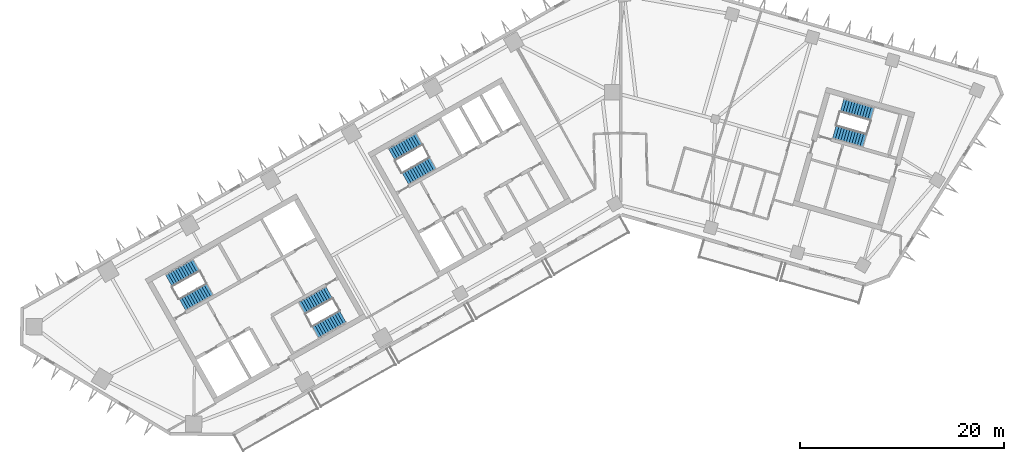
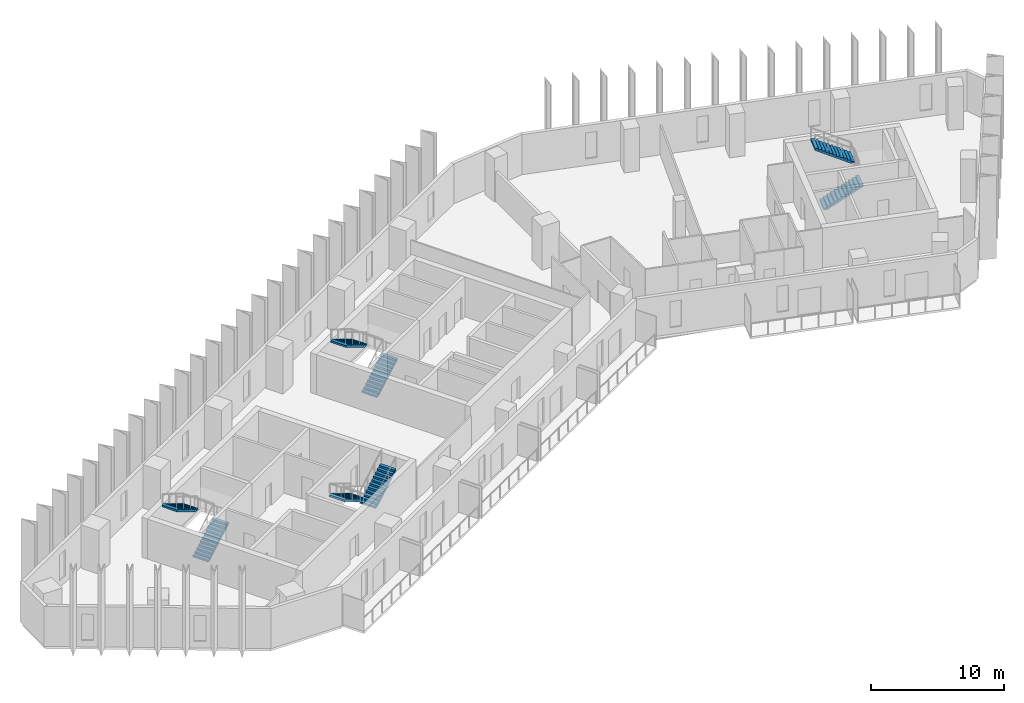
# One storey, part 7 of 10: 8 stair flights, 4 elements without a shape of their own.
"""IFC4 building model written with IfcOpenShell, lengths in metres."""

from ifc_helpers import new_model, si_unit, direction, frame, origin, place, context, subcontext, project, spatial, polyline, outline, extrude, material, type_object, element, aggregate, save


model = new_model("IFC4")

# Units and contexts
model_context = context("Model", 3, precision=1e-05, world=origin(), true_north=direction((0.0, 1.0)))
body_context = subcontext(model_context, "Body", "Model", "MODEL_VIEW")
ifc_project = project(units=[si_unit("LENGTHUNIT", "METRE"), si_unit("AREAUNIT", "SQUARE_METRE"), si_unit("VOLUMEUNIT", "CUBIC_METRE"), si_unit("PLANEANGLEUNIT", "RADIAN"), si_unit("MASSUNIT", "GRAM", prefix="KILO")], contexts=[model_context])

# Site, building, storey
site_placement = place(None, origin())
site = spatial("IfcSite", under=ifc_project, at=site_placement, CompositionType="ELEMENT")
building_placement = place(site_placement, origin())
building = spatial("IfcBuilding", under=site, at=building_placement, Name="Binnacle Exchange Tower", CompositionType="ELEMENT")
storey_placement = place(building_placement, frame((0.0, 0.0, 194.89990234375)))
storey = spatial("IfcBuildingStorey", under=building, at=storey_placement, Name="L42", CompositionType="ELEMENT", Elevation=194.89990234375)

# Stair, stair flights
ifc_material = material(Name="Concrete C35/45", Category="concrete")
stair_type = type_object("IfcStairType", Name="STAIR 24 RISERS 167", PredefinedType="HALF_TURN_STAIR", material=ifc_material)
stair_1_placement = place(storey_placement, origin())
stair_1 = element("IfcStair", 1, at=stair_1_placement, inside=storey, type_object=stair_type, Name="L42 Escape stair A1", PredefinedType="HALF_TURN_STAIR")
stair_flight_type = type_object("IfcStairFlightType", Name="STAIR FLIGHT 167X280", PredefinedType="STRAIGHT", material=ifc_material)
stair_flight_1_placement = place(storey_placement, frame((-42.9541015625, 39.17333984375, 0.0), z_axis=(0.0, 0.0, 1.0), x_axis=(0.870355584213, 0.492423757581, 0.0)))
stair_flight_1 = element("IfcStairFlight", 2, at=stair_flight_1_placement, type_object=stair_flight_type, Name="STA1 flight 1", NumberOfRisers=12, NumberOfTreads=11, PredefinedType="STRAIGHT", RiserHeight=0.166666667, TreadLength=0.28, context=body_context, shape_type="SweptSolid", body=[
    extrude(outline(polyline([(0.0, 0.0), (0.0, 0.166748046875), (0.280029296875, 0.166748046875), (0.280029296875, 0.333251953125), (0.56005859375, 0.333251953125), (0.56005859375, 0.5), (0.840087890625, 0.5), (0.840087890625, 0.666748046875), (1.1201171875, 0.666748046875), (1.1201171875, 0.833251953125), (1.39990234375, 0.833251953125), (1.39990234375, 1.0), (1.679931640625, 1.0), (1.679931640625, 1.166748046875), (1.9599609375, 1.166748046875), (1.9599609375, 1.333251953125), (2.239990234375, 1.333251953125), (2.239990234375, 1.5), (2.52001953125, 1.5), (2.52001953125, 1.666748046875), (2.800048828125, 1.666748046875), (2.800048828125, 1.833251953125), (3.080078125, 1.833251953125), (3.080078125, 2.0), (3.080078125, 1.658935546875), (0.29296875, 0.0), (0.0, 0.0)])), frame((0.0, 0.675048828125, 0.0), z_axis=(0.0, -1.0, 0.0), x_axis=(1.0, 0.0, 0.0)), (0.0, 0.0, 1.0), 1.35009765625),
])
stair_flight_2_placement = place(storey_placement, frame((-41.602783203125, 43.0400390625, 2.0), z_axis=(0.0, 0.0, 1.0), x_axis=(-0.870355584213, -0.492423757581, 0.0)))
stair_flight_2 = element("IfcStairFlight", 3, at=stair_flight_2_placement, type_object=stair_flight_type, Name="STA1 flight 2", NumberOfRisers=12, NumberOfTreads=11, PredefinedType="STRAIGHT", RiserHeight=0.166666667, TreadLength=0.28, context=body_context, shape_type="SweptSolid", body=[
    extrude(outline(polyline([(0.0, 0.0), (0.0, 0.166748046875), (0.280029296875, 0.166748046875), (0.280029296875, 0.333251953125), (0.56005859375, 0.333251953125), (0.56005859375, 0.5), (0.840087890625, 0.5), (0.840087890625, 0.666748046875), (1.1201171875, 0.666748046875), (1.1201171875, 0.833251953125), (1.39990234375, 0.833251953125), (1.39990234375, 1.0), (1.679931640625, 1.0), (1.679931640625, 1.166748046875), (1.9599609375, 1.166748046875), (1.9599609375, 1.333251953125), (2.239990234375, 1.333251953125), (2.239990234375, 1.5), (2.52001953125, 1.5), (2.52001953125, 1.666748046875), (2.800048828125, 1.666748046875), (2.800048828125, 1.833251953125), (3.080078125, 1.833251953125), (3.080078125, 2.0), (3.080078125, 1.658935546875), (0.29296875, 0.0), (0.0, 0.0)])), frame((0.0, 0.675048828125, 0.0), z_axis=(0.0, -1.0, 0.0), x_axis=(1.0, 0.0, 0.0)), (0.0, 0.0, 1.0), 1.35009765625),
])
aggregate(stair_1, [stair_flight_1, stair_flight_2])

stair_2_placement = place(storey_placement, origin())
stair_2 = element("IfcStair", 4, at=stair_2_placement, inside=storey, type_object=stair_type, Name="L42 Escape stair A2", PredefinedType="HALF_TURN_STAIR")
stair_flight_3_placement = place(storey_placement, frame((-28.5732421875, 40.3583984375, 0.0), z_axis=(0.0, 0.0, 1.0), x_axis=(-0.870355584213, -0.492423757581, 0.0)))
stair_flight_3 = element("IfcStairFlight", 5, at=stair_flight_3_placement, type_object=stair_flight_type, Name="STA2 flight 1", NumberOfRisers=12, NumberOfTreads=11, PredefinedType="STRAIGHT", RiserHeight=0.166666667, TreadLength=0.28, context=body_context, shape_type="SweptSolid", body=[
    extrude(outline(polyline([(0.0, 0.0), (0.0, 0.166748046875), (0.280029296875, 0.166748046875), (0.280029296875, 0.333251953125), (0.56005859375, 0.333251953125), (0.56005859375, 0.5), (0.840087890625, 0.5), (0.840087890625, 0.666748046875), (1.1201171875, 0.666748046875), (1.1201171875, 0.833251953125), (1.39990234375, 0.833251953125), (1.39990234375, 1.0), (1.679931640625, 1.0), (1.679931640625, 1.166748046875), (1.9599609375, 1.166748046875), (1.9599609375, 1.333251953125), (2.239990234375, 1.333251953125), (2.239990234375, 1.5), (2.52001953125, 1.5), (2.52001953125, 1.666748046875), (2.800048828125, 1.666748046875), (2.800048828125, 1.833251953125), (3.080078125, 1.833251953125), (3.080078125, 2.0), (3.080078125, 1.658935546875), (0.29296875, 0.0), (0.0, 0.0)])), frame((0.0, 0.675048828125, 0.0), z_axis=(0.0, -1.0, 0.0), x_axis=(1.0, 0.0, 0.0)), (0.0, 0.0, 1.0), 1.35009765625),
])
stair_flight_4_placement = place(storey_placement, frame((-29.92431640625, 36.49169921875, 2.0), z_axis=(0.0, 0.0, 1.0), x_axis=(0.870355584213, 0.492423757581, 0.0)))
stair_flight_4 = element("IfcStairFlight", 6, at=stair_flight_4_placement, type_object=stair_flight_type, Name="STA2 flight 2", NumberOfRisers=12, NumberOfTreads=11, PredefinedType="STRAIGHT", RiserHeight=0.166666667, TreadLength=0.28, context=body_context, shape_type="SweptSolid", body=[
    extrude(outline(polyline([(0.0, 0.0), (0.0, 0.166748046875), (0.280029296875, 0.166748046875), (0.280029296875, 0.333251953125), (0.56005859375, 0.333251953125), (0.56005859375, 0.5), (0.840087890625, 0.5), (0.840087890625, 0.666748046875), (1.1201171875, 0.666748046875), (1.1201171875, 0.833251953125), (1.39990234375, 0.833251953125), (1.39990234375, 1.0), (1.679931640625, 1.0), (1.679931640625, 1.166748046875), (1.9599609375, 1.166748046875), (1.9599609375, 1.333251953125), (2.239990234375, 1.333251953125), (2.239990234375, 1.5), (2.52001953125, 1.5), (2.52001953125, 1.666748046875), (2.800048828125, 1.666748046875), (2.800048828125, 1.833251953125), (3.080078125, 1.833251953125), (3.080078125, 2.0), (3.080078125, 1.658935546875), (0.29296875, 0.0), (0.0, 0.0)])), frame((0.0, 0.675048828125, 0.0), z_axis=(0.0, -1.0, 0.0), x_axis=(1.0, 0.0, 0.0)), (0.0, 0.0, 1.0), 1.35009765625),
])
aggregate(stair_2, [stair_flight_3, stair_flight_4])

stair_3_placement = place(storey_placement, origin())
stair_3 = element("IfcStair", 7, at=stair_3_placement, inside=storey, type_object=stair_type, Name="L42 Escape stair C1", PredefinedType="HALF_TURN_STAIR")
stair_flight_5_placement = place(storey_placement, frame((-21.115966796875, 51.528564453125, 0.0), z_axis=(0.0, 0.0, 1.0), x_axis=(0.870355584213, 0.492423757581, 0.0)))
stair_flight_5 = element("IfcStairFlight", 8, at=stair_flight_5_placement, type_object=stair_flight_type, Name="STC1 flight 1", NumberOfRisers=12, NumberOfTreads=11, PredefinedType="STRAIGHT", RiserHeight=0.166666667, TreadLength=0.28, context=body_context, shape_type="SweptSolid", body=[
    extrude(outline(polyline([(0.0, 0.0), (0.0, 0.166748046875), (0.280029296875, 0.166748046875), (0.280029296875, 0.333251953125), (0.56005859375, 0.333251953125), (0.56005859375, 0.5), (0.840087890625, 0.5), (0.840087890625, 0.666748046875), (1.1201171875, 0.666748046875), (1.1201171875, 0.833251953125), (1.39990234375, 0.833251953125), (1.39990234375, 1.0), (1.679931640625, 1.0), (1.679931640625, 1.166748046875), (1.9599609375, 1.166748046875), (1.9599609375, 1.333251953125), (2.239990234375, 1.333251953125), (2.239990234375, 1.5), (2.52001953125, 1.5), (2.52001953125, 1.666748046875), (2.800048828125, 1.666748046875), (2.800048828125, 1.833251953125), (3.080078125, 1.833251953125), (3.080078125, 2.0), (3.080078125, 1.658935546875), (0.29296875, 0.0), (0.0, 0.0)])), frame((0.0, 0.675048828125, 0.0), z_axis=(0.0, -1.0, 0.0), x_axis=(1.0, 0.0, 0.0)), (0.0, 0.0, 1.0), 1.35009765625),
])
stair_flight_6_placement = place(storey_placement, frame((-19.764892578125, 55.395263671875, 2.0), z_axis=(0.0, 0.0, 1.0), x_axis=(-0.870355584213, -0.492423757581, 0.0)))
stair_flight_6 = element("IfcStairFlight", 9, at=stair_flight_6_placement, type_object=stair_flight_type, Name="STC1 flight 2", NumberOfRisers=12, NumberOfTreads=11, PredefinedType="STRAIGHT", RiserHeight=0.166666667, TreadLength=0.28, context=body_context, shape_type="SweptSolid", body=[
    extrude(outline(polyline([(0.0, 0.0), (0.0, 0.166748046875), (0.280029296875, 0.166748046875), (0.280029296875, 0.333251953125), (0.56005859375, 0.333251953125), (0.56005859375, 0.5), (0.840087890625, 0.5), (0.840087890625, 0.666748046875), (1.1201171875, 0.666748046875), (1.1201171875, 0.833251953125), (1.39990234375, 0.833251953125), (1.39990234375, 1.0), (1.679931640625, 1.0), (1.679931640625, 1.166748046875), (1.9599609375, 1.166748046875), (1.9599609375, 1.333251953125), (2.239990234375, 1.333251953125), (2.239990234375, 1.5), (2.52001953125, 1.5), (2.52001953125, 1.666748046875), (2.800048828125, 1.666748046875), (2.800048828125, 1.833251953125), (3.080078125, 1.833251953125), (3.080078125, 2.0), (3.080078125, 1.658935546875), (0.29296875, 0.0), (0.0, 0.0)])), frame((0.0, 0.675048828125, 0.0), z_axis=(0.0, -1.0, 0.0), x_axis=(1.0, 0.0, 0.0)), (0.0, 0.0, 1.0), 1.35009765625),
])
aggregate(stair_3, [stair_flight_5, stair_flight_6])

stair_4_placement = place(storey_placement, origin())
stair_4 = element("IfcStair", 10, at=stair_4_placement, inside=storey, type_object=stair_type, Name="L42 Escape stair D1", PredefinedType="HALF_TURN_STAIR")
stair_flight_7_placement = place(storey_placement, frame((20.914306640625, 56.109619140625, 0.0), z_axis=(0.0, 0.0, 1.0), x_axis=(0.961261811397, -0.275636953165, 0.0)))
stair_flight_7 = element("IfcStairFlight", 11, at=stair_flight_7_placement, type_object=stair_flight_type, Name="STD1 flight 1", NumberOfRisers=12, NumberOfTreads=11, PredefinedType="STRAIGHT", RiserHeight=0.166666667, TreadLength=0.28, context=body_context, shape_type="SweptSolid", body=[
    extrude(outline(polyline([(0.0, 0.0), (0.0, 0.166748046875), (0.280029296875, 0.166748046875), (0.280029296875, 0.333251953125), (0.56005859375, 0.333251953125), (0.56005859375, 0.5), (0.840087890625, 0.5), (0.840087890625, 0.666748046875), (1.1201171875, 0.666748046875), (1.1201171875, 0.833251953125), (1.39990234375, 0.833251953125), (1.39990234375, 1.0), (1.679931640625, 1.0), (1.679931640625, 1.166748046875), (1.9599609375, 1.166748046875), (1.9599609375, 1.333251953125), (2.239990234375, 1.333251953125), (2.239990234375, 1.5), (2.52001953125, 1.5), (2.52001953125, 1.666748046875), (2.800048828125, 1.666748046875), (2.800048828125, 1.833251953125), (3.080078125, 1.833251953125), (3.080078125, 2.0), (3.080078125, 1.658935546875), (0.29296875, 0.0), (0.0, 0.0)])), frame((0.0, 0.675048828125, 0.0), z_axis=(0.0, -1.0, 0.0), x_axis=(1.0, 0.0, 0.0)), (0.0, 0.0, 1.0), 1.35009765625),
])
stair_flight_8_placement = place(storey_placement, frame((24.619384765625, 57.85595703125, 2.0), z_axis=(0.0, 0.0, 1.0), x_axis=(-0.961261811397, 0.275636953165, 0.0)))
stair_flight_8 = element("IfcStairFlight", 12, at=stair_flight_8_placement, type_object=stair_flight_type, Name="STD1 flight 2", NumberOfRisers=12, NumberOfTreads=11, PredefinedType="STRAIGHT", RiserHeight=0.166666667, TreadLength=0.28, context=body_context, shape_type="SweptSolid", body=[
    extrude(outline(polyline([(0.0, 0.0), (0.0, 0.166748046875), (0.280029296875, 0.166748046875), (0.280029296875, 0.333251953125), (0.56005859375, 0.333251953125), (0.56005859375, 0.5), (0.840087890625, 0.5), (0.840087890625, 0.666748046875), (1.1201171875, 0.666748046875), (1.1201171875, 0.833251953125), (1.39990234375, 0.833251953125), (1.39990234375, 1.0), (1.679931640625, 1.0), (1.679931640625, 1.166748046875), (1.9599609375, 1.166748046875), (1.9599609375, 1.333251953125), (2.239990234375, 1.333251953125), (2.239990234375, 1.5), (2.52001953125, 1.5), (2.52001953125, 1.666748046875), (2.800048828125, 1.666748046875), (2.800048828125, 1.833251953125), (3.080078125, 1.833251953125), (3.080078125, 2.0), (3.080078125, 1.658935546875), (0.29296875, 0.0), (0.0, 0.0)])), frame((0.0, 0.675048828125, 0.0), z_axis=(0.0, -1.0, 0.0), x_axis=(1.0, 0.0, 0.0)), (0.0, 0.0, 1.0), 1.35009765625),
])
aggregate(stair_4, [stair_flight_7, stair_flight_8])

save(model, "model.ifc")
